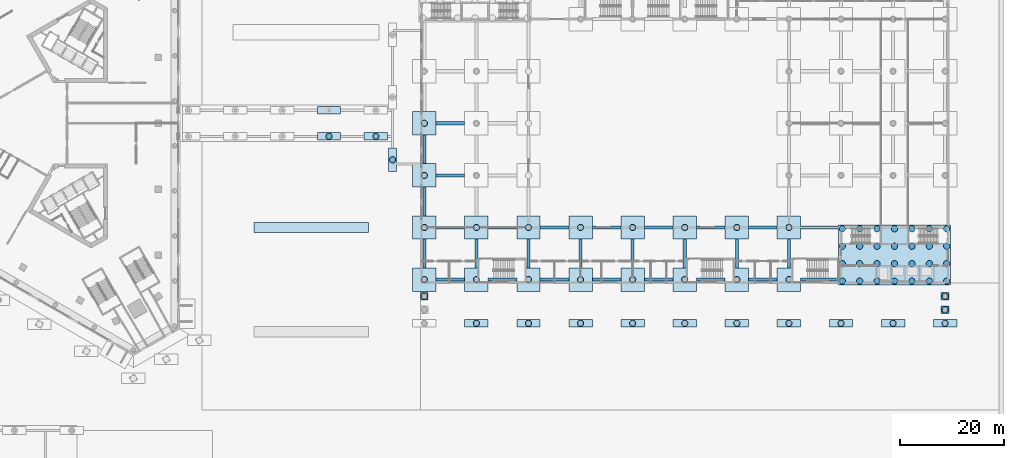
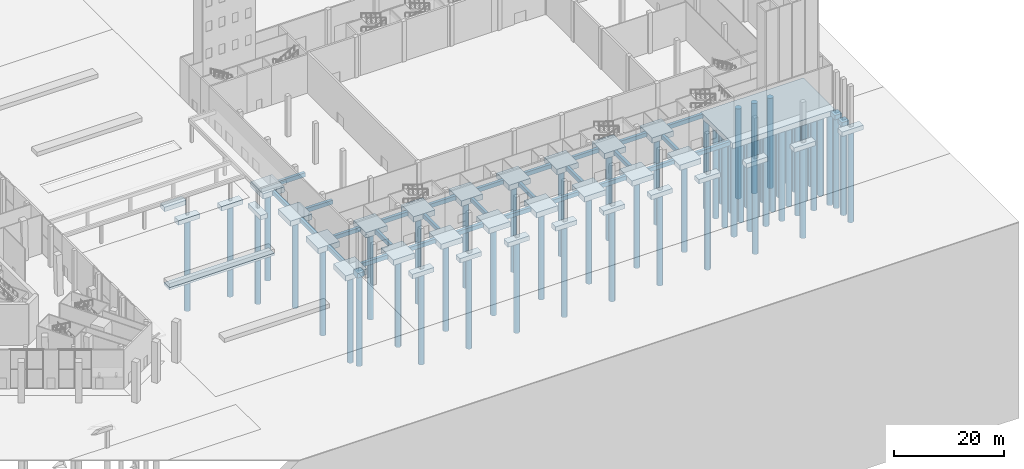
# One storey, part 2 of 63: 65 footings, 62 piles.
"""IFC4 building model written with IfcOpenShell, lengths in metres."""

import ifcopenshell
import ifcopenshell.guid

model = None  # the IFC model being written
_history = None  # IfcOwnerHistory: only IFC2X3 demands one
_inside = {}  # id of a spatial element -> (the spatial element, [elements in it])
_under = {}  # id of a project, library or spatial element -> (it, [spatial elements below it])
_declared = {}  # id of a project -> (the project, [libraries it declares])
_typed = {}  # id of a type object -> (the type object, [elements of that type])
_made_of = {}  # id of a material, layer set ... -> (it, [elements and type objects made of it])


def new_model(schema):
    """Start an empty IFC model of exactly this schema.

    Asked for "IFC4X3", IfcOpenShell would pick the latest addendum, in which some entities
    have other attributes; the version numbers below select the first issue.
    IFC2X3 requires an IfcOwnerHistory on every rooted entity: one is made here for all.
    """
    global model, _history
    if schema == "IFC4X3":
        model = ifcopenshell.file(schema_version=(4, 3, 0, 0))
    else:
        model = ifcopenshell.file(schema=schema)
    _inside.clear()
    _under.clear()
    _declared.clear()
    _typed.clear()
    _made_of.clear()
    _history = None
    if model.schema == "IFC2X3":
        org = make("IfcOrganization", Name="unknown")
        user = make(
            "IfcPersonAndOrganization",
            ThePerson=make("IfcPerson", FamilyName="unknown"),
            TheOrganization=org,
        )
        app = make(
            "IfcApplication",
            ApplicationDeveloper=org,
            Version="unknown",
            ApplicationFullName="unknown",
            ApplicationIdentifier="unknown",
        )
        _history = make(
            "IfcOwnerHistory",
            OwningUser=user,
            OwningApplication=app,
            ChangeAction="ADDED",
            CreationDate=0,
        )
    return model


def make(cls, **values):
    """One entity of the class cls with the attributes given. An attribute that is None is left unset."""
    return model.create_entity(
        cls, **{name: value for name, value in values.items() if value is not None}
    )


def rooted(cls, **values):
    """An entity with a GlobalId (a new one), such as an element, a storey or a relation."""
    return make(cls, GlobalId=ifcopenshell.guid.new(), OwnerHistory=_history, **values)


def si_unit(unit_type, name, prefix=None):
    """IfcSIUnit, for example si_unit("LENGTHUNIT", "METRE", prefix="MILLI")."""
    return make("IfcSIUnit", UnitType=unit_type, Prefix=prefix, Name=name)


def assignment(units):
    """IfcUnitAssignment: the units of a project."""
    return None if units is None else make("IfcUnitAssignment", Units=units)


def point(xyz):
    """IfcCartesianPoint."""
    return None if xyz is None else make("IfcCartesianPoint", Coordinates=xyz)


def direction(xyz):
    """IfcDirection."""
    return None if xyz is None else make("IfcDirection", DirectionRatios=xyz)


def frame(location, z_axis=None, x_axis=None):
    """IfcAxis2Placement3D, a coordinate frame: its origin and axes. An axis left out is left unset."""
    return make(
        "IfcAxis2Placement3D",
        Location=point(location),
        Axis=direction(z_axis),
        RefDirection=direction(x_axis),
    )


def frame_2d(location, x_axis=None):
    """IfcAxis2Placement2D, a coordinate frame in the plane: its origin and x axis."""
    return make(
        "IfcAxis2Placement2D", Location=point(location), RefDirection=direction(x_axis)
    )


def origin():
    """The frame at (0, 0, 0) with its axes left unset."""
    return frame((0.0, 0.0, 0.0))


def origin_2d():
    """The frame at (0, 0) in the plane with its x axis left unset."""
    return frame_2d((0.0, 0.0))


def place(relative_to, where):
    """IfcLocalPlacement: puts the frame where relative to a parent placement (None: the world)."""
    return make(
        "IfcLocalPlacement", PlacementRelTo=relative_to, RelativePlacement=where
    )


def context(
    kind, dimensions, precision=None, world=None, true_north=None, identifier=None
):
    """IfcGeometricRepresentationContext, for example the 3D "Model" context."""
    return make(
        "IfcGeometricRepresentationContext",
        ContextIdentifier=identifier,
        ContextType=kind,
        CoordinateSpaceDimension=dimensions,
        Precision=precision,
        WorldCoordinateSystem=world,
        TrueNorth=true_north,
    )


def subcontext(parent, identifier, kind, view, scale=None):
    """IfcGeometricRepresentationSubContext, for example "Body" below "Model"."""
    return make(
        "IfcGeometricRepresentationSubContext",
        ContextIdentifier=identifier,
        ContextType=kind,
        ParentContext=parent,
        TargetScale=scale,
        TargetView=view,
    )


def project(units=None, contexts=None):
    """IfcProject with its units and contexts."""
    return rooted(
        "IfcProject",
        Name="project",
        RepresentationContexts=contexts,
        UnitsInContext=assignment(units),
    )


def spatial(cls, under=None, at=None, **own):
    """A site, building, storey or space (cls), placed at a placement, below another one or the project."""
    s = rooted(cls, ObjectPlacement=at, **own)
    if under is not None:
        _under.setdefault(under.id(), (under, []))[1].append(s)
    return s


def polyline(points):
    """IfcPolyline through the points."""
    return make("IfcPolyline", Points=[point(p) for p in points])


def profile(cls, at=None, kind="AREA", **sizes):
    """A parametric profile (cls). Its sizes go by their IFC names, for example OverallWidth=200.0."""
    return make(cls, ProfileType=kind, Position=at, **sizes)


def rectangle(**sizes):
    """IfcRectangleProfileDef."""
    return profile("IfcRectangleProfileDef", **sizes)


def circle(**sizes):
    """IfcCircleProfileDef."""
    return profile("IfcCircleProfileDef", **sizes)


def outline(outer, holes=None, kind="AREA"):
    """IfcArbitraryClosedProfileDef: a profile drawn as a closed curve; with holes, ...WithVoids."""
    if holes is None:
        return make("IfcArbitraryClosedProfileDef", ProfileType=kind, OuterCurve=outer)
    return make(
        "IfcArbitraryProfileDefWithVoids",
        ProfileType=kind,
        OuterCurve=outer,
        InnerCurves=holes,
    )


def extrude(swept, where, along, depth):
    """IfcExtrudedAreaSolid: the profile swept, set in the frame where, extruded along a direction by depth."""
    return make(
        "IfcExtrudedAreaSolid",
        SweptArea=swept,
        Position=where,
        ExtrudedDirection=direction(along),
        Depth=depth,
    )


def shape(context_of_items, identifier, shape_type, items):
    """IfcShapeRepresentation: the items that make up one representation, for example the "Body"."""
    return make(
        "IfcShapeRepresentation",
        ContextOfItems=context_of_items,
        RepresentationIdentifier=identifier,
        RepresentationType=shape_type,
        Items=items,
    )


def material(Name=None, Category=None):
    """IfcMaterial."""
    return make("IfcMaterial", Name=Name, Category=Category)


def layer(
    of_material, thickness, ventilated=None, Name=None, Category=None, Priority=None
):
    """IfcMaterialLayer: one layer of a wall or slab, of a material (None: an air gap)."""
    return make(
        "IfcMaterialLayer",
        Material=of_material,
        LayerThickness=thickness,
        IsVentilated=ventilated,
        Name=Name,
        Category=Category,
        Priority=Priority,
    )


def layer_set(layers, Name=None):
    """IfcMaterialLayerSet."""
    return make("IfcMaterialLayerSet", MaterialLayers=layers, LayerSetName=Name)


def material_profile(
    of_material, cross_section, Name=None, Category=None, Priority=None
):
    """IfcMaterialProfile: a cross section and its material."""
    return make(
        "IfcMaterialProfile",
        Name=Name,
        Material=of_material,
        Profile=cross_section,
        Priority=Priority,
        Category=Category,
    )


def profile_set(profiles, Name=None, composite=None):
    """IfcMaterialProfileSet."""
    return make(
        "IfcMaterialProfileSet",
        Name=Name,
        MaterialProfiles=profiles,
        CompositeProfile=composite,
    )


def made_of(thing, what):
    """Note that an element or type object is made of a material, layer set ...; save() writes the relation."""
    if what is not None:
        _made_of.setdefault(what.id(), (what, []))[1].append(thing)
    return thing


def type_object(cls, material=None, **own):
    """A type object (cls), such as IfcWallType, which elements share."""
    return made_of(rooted(cls, **own), material)


def element(
    cls,
    number,
    at=None,
    inside=None,
    cuts=None,
    type_object=None,
    material=None,
    context=None,
    identifier="Body",
    shape_type=None,
    held_by="IfcProductDefinitionShape",
    body=None,
    shapes=None,
    **own,
):
    """One element of the class cls, such as IfcWall. Its Tag is "e" and its number.

    at: its placement. inside: the storey or other place that contains it. cuts: it is an
    opening in that element (IfcRelVoidsElement). A single representation is given by context,
    identifier, shape_type and body (its items); several are given by shapes. held_by: the class
    of the entity that holds the representations. save() writes the other relations.
    """
    e = rooted(cls, Tag="e%d" % number, ObjectPlacement=at, **own)
    if body is not None:
        shapes = [shape(context, identifier, shape_type, body)]
    if shapes is not None:
        e.Representation = make(held_by, Representations=shapes)
    if inside is not None:
        _inside.setdefault(inside.id(), (inside, []))[1].append(e)
    if cuts is not None:
        rooted(
            "IfcRelVoidsElement", RelatingBuildingElement=cuts, RelatedOpeningElement=e
        )
    if type_object is not None:
        _typed.setdefault(type_object.id(), (type_object, []))[1].append(e)
    return made_of(e, material)


def aggregate(whole, parts):
    """IfcRelAggregates: a whole, such as a stair, and the parts it consists of."""
    return rooted("IfcRelAggregates", RelatingObject=whole, RelatedObjects=parts)


def save(model, path):
    """Write the relations noted so far, then the file.

    IfcRelAggregates (storeys below a building ...), IfcRelContainedInSpatialStructure (elements
    in a storey), IfcRelDefinesByType, IfcRelAssociatesMaterial and IfcRelDeclares: one each for
    every whole, place, type object, material and project.
    """
    for whole, parts in _under.values():
        aggregate(whole, parts)
    for where, things in _inside.values():
        rooted(
            "IfcRelContainedInSpatialStructure",
            RelatedElements=things,
            RelatingStructure=where,
        )
    for kind, things in _typed.values():
        rooted("IfcRelDefinesByType", RelatedObjects=things, RelatingType=kind)
    for what, things in _made_of.values():
        rooted("IfcRelAssociatesMaterial", RelatedObjects=things, RelatingMaterial=what)
    for by, libraries in _declared.values():
        rooted("IfcRelDeclares", RelatingContext=by, RelatedDefinitions=libraries)
    model.write(path)


model = new_model("IFC4")

# Units and contexts
model_context = context("Model", 3, precision=1e-05, world=origin(), true_north=direction((0.0, 1.0)))
body_context = subcontext(model_context, "Body", "Model", "MODEL_VIEW")
ifc_project = project(units=[si_unit("LENGTHUNIT", "METRE"), si_unit("AREAUNIT", "SQUARE_METRE"), si_unit("VOLUMEUNIT", "CUBIC_METRE"), si_unit("PLANEANGLEUNIT", "RADIAN"), si_unit("MASSUNIT", "GRAM", prefix="KILO")], contexts=[model_context])

# Site, building, storey
site_placement = place(None, origin())
site = spatial("IfcSite", under=ifc_project, at=site_placement, CompositionType="ELEMENT")
building_placement = place(site_placement, origin())
building = spatial("IfcBuilding", under=site, at=building_placement, Name="Jabali Bay Hotel Tower and Convention Centre", CompositionType="ELEMENT")
storey_placement = place(building_placement, origin())
storey = spatial("IfcBuildingStorey", under=building, at=storey_placement, Name="L00", CompositionType="ELEMENT", Elevation=0.0)

# Piles
ifc_material_1 = material(Name="Concrete C45", Category="concrete")
ifc_material_profile_1 = material_profile(ifc_material_1, circle(Radius=0.60009765625, at=origin_2d()), Name="D1200")
ifc_profile_set_1 = profile_set([ifc_material_profile_1], Name="Concrete C45")
pile_type_1 = type_object("IfcPileType", Name="CC Bored Pile D1200", PredefinedType="BORED", material=ifc_profile_set_1)
for number, where, z_axis, x_axis, name in (
    (1, (150.699951171875, 50.0, -2.300048828125), (0.0, 0.0, -1.0), (1.0, 0.0, 0.0), "CC pile 1"),
    (2, (150.699951171875, 60.0, -2.300048828125), (0.0, 0.0, -1.0), (1.0, 0.0, 0.0), "CC pile 2"),
    (3, (150.699951171875, 70.0, -2.300048828125), (0.0, 0.0, -1.0), (1.0, 0.0, 0.0), "CC pile 3"),
    (4, (150.699951171875, 80.0, -2.300048828125), (0.0, 0.0, -1.0), (1.0, 0.0, 0.0), "CC pile 4"),
    (5, (160.699951171875, 50.0, -2.300048828125), (0.0, 0.0, -1.0), (1.0, 0.0, 0.0), "CC pile 6"),
    (6, (160.699951171875, 60.0, -2.300048828125), (0.0, 0.0, -1.0), (1.0, 0.0, 0.0), "CC pile 7"),
    (7, (170.699951171875, 50.0, -2.300048828125), (0.0, 0.0, -1.0), (1.0, 0.0, 0.0), "CC pile 11"),
    (8, (170.699951171875, 60.0, -2.300048828125), (0.0, 0.0, -1.0), (1.0, 0.0, 0.0), "CC pile 12"),
    (9, (180.699951171875, 50.0, -2.300048828125), (0.0, 0.0, -1.0), (1.0, 0.0, 0.0), "CC pile 16"),
    (10, (180.699951171875, 60.0, -2.300048828125), (0.0, 0.0, -1.0), (1.0, 0.0, 0.0), "CC pile 17"),
    (11, (190.699951171875, 50.0, -2.300048828125), (0.0, 0.0, -1.0), (1.0, 0.0, 0.0), "CC pile 20"),
    (12, (190.699951171875, 60.0, -2.300048828125), (0.0, 0.0, -1.0), (1.0, 0.0, 0.0), "CC pile 21"),
    (13, (200.699951171875, 50.0, -2.300048828125), (0.0, 0.0, -1.0), (1.0, 0.0, 0.0), "CC pile 24"),
    (14, (200.699951171875, 60.0, -2.300048828125), (0.0, 0.0, -1.0), (1.0, 0.0, 0.0), "CC pile 25"),
    (15, (210.699951171875, 50.0, -2.300048828125), (0.0, 0.0, -1.0), (1.0, 0.0, 0.0), "CC pile 28"),
    (16, (210.699951171875, 60.0, -2.300048828125), (0.0, 0.0, -1.0), (1.0, 0.0, 0.0), "CC pile 29"),
    (17, (220.699951171875, 50.0, -2.300048828125), (0.0, 0.0, -1.0), (1.0, 0.0, 0.0), "CC pile 32"),
    (18, (220.699951171875, 60.0, -2.300048828125), (0.0, 0.0, -1.0), (1.0, 0.0, 0.0), "CC pile 33"),
    (19, (230.949951171875, 49.699951171875, -2.300048828125), (0.0, 0.0, -1.0), (1.0, 0.0, 0.0), "CC pile 82"),
    (20, (230.949951171875, 53.050048828125, -2.300048828125), (0.0, 0.0, -1.0), (1.0, 0.0, 0.0), "CC pile 83"),
    (21, (230.949951171875, 56.39990234375, -2.300048828125), (0.0, 0.0, -1.0), (1.0, 0.0, 0.0), "CC pile 84"),
    (22, (230.949951171875, 59.75, -2.300048828125), (0.0, 0.0, -1.0), (1.0, 0.0, 0.0), "CC pile 85"),
    (23, (234.291748046875, 49.699951171875, -2.300048828125), (0.0, 0.0, -1.0), (1.0, 0.0, 0.0), "CC pile 86"),
    (24, (234.291748046875, 53.050048828125, -2.300048828125), (0.0, 0.0, -1.0), (1.0, 0.0, 0.0), "CC pile 87"),
    (25, (234.291748046875, 56.39990234375, -2.300048828125), (0.0, 0.0, -1.0), (1.0, 0.0, 0.0), "CC pile 88"),
    (26, (234.291748046875, 59.75, -2.300048828125), (0.0, 0.0, -1.0), (1.0, 0.0, 0.0), "CC pile 89"),
    (27, (237.63330078125, 49.699951171875, -2.300048828125), (0.0, 0.0, -1.0), (1.0, 0.0, 0.0), "CC pile 90"),
    (28, (237.63330078125, 53.050048828125, -2.300048828125), (0.0, 0.0, -1.0), (1.0, 0.0, 0.0), "CC pile 91"),
    (29, (237.63330078125, 56.39990234375, -2.300048828125), (0.0, 0.0, -1.0), (1.0, 0.0, 0.0), "CC pile 92"),
    (30, (237.63330078125, 59.75, -2.300048828125), (0.0, 0.0, -1.0), (1.0, 0.0, 0.0), "CC pile 93"),
    (31, (240.97509765625, 49.699951171875, -2.300048828125), (0.0, 0.0, -1.0), (1.0, 0.0, 0.0), "CC pile 94"),
    (32, (240.97509765625, 53.050048828125, -2.300048828125), (0.0, 0.0, -1.0), (1.0, 0.0, 0.0), "CC pile 95"),
    (33, (240.97509765625, 56.39990234375, -2.300048828125), (0.0, 0.0, -1.0), (1.0, 0.0, 0.0), "CC pile 96"),
    (34, (240.97509765625, 59.75, -2.300048828125), (0.0, 0.0, -1.0), (1.0, 0.0, 0.0), "CC pile 97"),
    (35, (244.316650390625, 49.699951171875, -2.300048828125), (0.0, 0.0, -1.0), (1.0, 0.0, 0.0), "CC pile 98"),
    (36, (244.316650390625, 53.050048828125, -2.300048828125), (0.0, 0.0, -1.0), (1.0, 0.0, 0.0), "CC pile 99"),
    (37, (244.316650390625, 56.39990234375, -2.300048828125), (0.0, 0.0, -1.0), (1.0, 0.0, 0.0), "CC pile 100"),
    (38, (244.316650390625, 59.75, -2.300048828125), (0.0, 0.0, -1.0), (1.0, 0.0, 0.0), "CC pile 101"),
    (39, (247.658447265625, 49.699951171875, -2.300048828125), (0.0, 0.0, -1.0), (1.0, 0.0, 0.0), "CC pile 102"),
    (40, (247.658447265625, 53.050048828125, -2.300048828125), (0.0, 0.0, -1.0), (1.0, 0.0, 0.0), "CC pile 103"),
    (41, (247.658447265625, 56.39990234375, -2.300048828125), (0.0, 0.0, -1.0), (1.0, 0.0, 0.0), "CC pile 104"),
    (42, (247.658447265625, 59.75, -2.300048828125), (0.0, 0.0, -1.0), (1.0, 0.0, 0.0), "CC pile 105"),
    (43, (251.0, 49.699951171875, -2.300048828125), (0.0, 0.0, -1.0), (1.0, 0.0, 0.0), "CC pile 106"),
    (44, (251.0, 53.050048828125, -2.300048828125), (0.0, 0.0, -1.0), (1.0, 0.0, 0.0), "CC pile 107"),
    (45, (251.0, 56.39990234375, -2.300048828125), (0.0, 0.0, -1.0), (1.0, 0.0, 0.0), "CC pile 108"),
    (46, (251.0, 59.75, -2.300048828125), (0.0, 0.0, -1.0), (1.0, 0.0, 0.0), "CC pile 109"),
    (47, (144.60009765625, 73.0, -1.10009765625), (0.0, 0.0, -1.0), (1.0, 0.0, 0.0), "CC pile 110"),
    (48, (150.699951171875, 46.800048828125, -1.10009765625), (0.0, 0.0, -1.0), (1.0, 0.0, 0.0), "CC pile 114"),
    (49, (250.699951171875, 44.199951171875, -1.10009765625), (0.0, 0.0, -1.0), (1.0, 0.0, 0.0), "CC pile 115"),
    (50, (250.699951171875, 46.800048828125, -1.10009765625), (0.0, 0.0, -1.0), (1.0, 0.0, 0.0), "CC pile 116"),
    (51, (160.699951171875, 41.60009765625, -1.10009765625), (0.0, 0.0, -1.0), (1.0, 0.0, 0.0), "CC pile 118"),
    (52, (170.699951171875, 41.60009765625, -1.10009765625), (0.0, 0.0, -1.0), (1.0, 0.0, 0.0), "CC pile 119"),
    (53, (180.699951171875, 41.60009765625, -1.10009765625), (0.0, 0.0, -1.0), (1.0, 0.0, 0.0), "CC pile 120"),
    (54, (190.699951171875, 41.60009765625, -1.10009765625), (0.0, 0.0, -1.0), (1.0, 0.0, 0.0), "CC pile 121"),
    (55, (200.699951171875, 41.60009765625, -1.10009765625), (0.0, 0.0, -1.0), (1.0, 0.0, 0.0), "CC pile 122"),
    (56, (210.699951171875, 41.60009765625, -1.10009765625), (0.0, 0.0, -1.0), (1.0, 0.0, 0.0), "CC pile 123"),
    (57, (220.699951171875, 41.60009765625, -1.10009765625), (0.0, 0.0, -1.0), (1.0, 0.0, 0.0), "CC pile 124"),
    (58, (230.699951171875, 41.60009765625, -1.10009765625), (0.0, 0.0, -1.0), (1.0, 0.0, 0.0), "CC pile 125"),
    (59, (240.699951171875, 41.60009765625, -1.10009765625), (0.0, 0.0, -1.0), (1.0, 0.0, 0.0), "CC pile 126"),
    (60, (250.699951171875, 41.60009765625, -1.10009765625), (0.0, 0.0, -1.0), (1.0, 0.0, 0.0), "CC pile 127"),
):
    element("IfcPile", number, at=place(storey_placement, frame(where, z_axis=z_axis, x_axis=x_axis)), inside=storey, type_object=pile_type_1, Name=name, PredefinedType="BORED", context=body_context, shape_type="SweptSolid", body=[
        extrude(circle(Radius=0.60009765625, at=origin_2d()), origin(), (0.0, 0.0, 1.0), 20.0),
    ])

# Footings
footing_type_1 = type_object("IfcFootingType", Name="CC Canopy Pad Cap 1500x4500x1000", PredefinedType="PILE_CAP", material=ifc_material_1)
footing_1_placement = place(storey_placement, frame((0.0, 0.0, -1.199951171875)))
element("IfcFooting", 61, at=footing_1_placement, inside=storey, type_object=footing_type_1, Name="CC canopy pad cap 1", PredefinedType="PILE_CAP", context=body_context, shape_type="SweptSolid", body=[
    extrude(outline(polyline([(143.85009765625, 70.75), (145.35009765625, 70.75), (145.35009765625, 75.25), (143.85009765625, 75.25), (143.85009765625, 70.75)])), origin(), (0.0, 0.0, 1.0), 1.0),
])
ifc_layer = layer(ifc_material_1, 1.199951171875)
ifc_layer_set = layer_set([ifc_layer], Name="Concrete C45")
footing_type_2 = type_object("IfcFootingType", Name="CC Core Raft 1200", PredefinedType="PILE_CAP", material=ifc_layer_set)
footing_2_placement = place(storey_placement, frame((0.0, 0.0, -2.39990234375)))
element("IfcFooting", 62, at=footing_2_placement, inside=storey, type_object=footing_type_2, Name="CC east core raft", PredefinedType="PILE_CAP", context=body_context, shape_type="SweptSolid", body=[
    extrude(outline(polyline([(230.199951171875, 48.949951171875), (251.75, 48.949951171875), (251.75, 60.5), (230.199951171875, 60.5), (230.199951171875, 48.949951171875)])), origin(), (0.0, 0.0, 1.0), 1.199951171875),
])
ifc_material_profile_2 = material_profile(ifc_material_1, rectangle(XDim=0.60009765625, YDim=0.89990234375, at=origin_2d()), Name="RC 600x900")
ifc_profile_set_2 = profile_set([ifc_material_profile_2], Name="Concrete C45")
footing_type_3 = type_object("IfcFootingType", Name="CC Ground Beam 600x900", PredefinedType="FOOTING_BEAM", material=ifc_profile_set_2)
for number, where, z_axis, x_axis, name in (
    (63, (152.949951171875, 50.0, -1.64990234375), (1.0, 0.0, 0.0), (0.0, 1.0, 0.0), "CC ground beam CC1/A"),
    (64, (150.699951171875, 52.25, -1.64990234375), (0.0, 1.0, 0.0), (-1.0, 0.0, 0.0), "CC ground beam CC1/A"),
    (65, (152.949951171875, 60.0, -1.64990234375), (1.0, 0.0, 0.0), (0.0, 1.0, 0.0), "CC ground beam CC1/B"),
    (66, (150.699951171875, 62.25, -1.64990234375), (0.0, 1.0, 0.0), (-1.0, 0.0, 0.0), "CC ground beam CC1/B"),
    (67, (152.949951171875, 70.0, -1.64990234375), (1.0, 0.0, 0.0), (0.0, 1.0, 0.0), "CC ground beam CC1/C"),
    (68, (150.699951171875, 72.25, -1.64990234375), (0.0, 1.0, 0.0), (-1.0, 0.0, 0.0), "CC ground beam CC1/C"),
    (69, (152.949951171875, 80.0, -1.64990234375), (1.0, 0.0, 0.0), (0.0, 1.0, 0.0), "CC ground beam CC1/D"),
    (70, (162.949951171875, 50.0, -1.64990234375), (1.0, 0.0, 0.0), (0.0, 1.0, 0.0), "CC ground beam CC2/A"),
    (71, (160.699951171875, 52.25, -1.64990234375), (0.0, 1.0, 0.0), (-1.0, 0.0, 0.0), "CC ground beam CC2/A"),
    (72, (162.949951171875, 60.0, -1.64990234375), (1.0, 0.0, 0.0), (0.0, 1.0, 0.0), "CC ground beam CC2/B"),
    (73, (172.949951171875, 50.0, -1.64990234375), (1.0, 0.0, 0.0), (0.0, 1.0, 0.0), "CC ground beam CC3/A"),
    (74, (170.699951171875, 52.25, -1.64990234375), (0.0, 1.0, 0.0), (-1.0, 0.0, 0.0), "CC ground beam CC3/A"),
    (75, (172.949951171875, 60.0, -1.64990234375), (1.0, 0.0, 0.0), (0.0, 1.0, 0.0), "CC ground beam CC3/B"),
    (76, (182.949951171875, 50.0, -1.64990234375), (1.0, 0.0, 0.0), (0.0, 1.0, 0.0), "CC ground beam CC4/A"),
    (77, (180.699951171875, 52.25, -1.64990234375), (0.0, 1.0, 0.0), (-1.0, 0.0, 0.0), "CC ground beam CC4/A"),
    (78, (182.949951171875, 60.0, -1.64990234375), (1.0, 0.0, 0.0), (0.0, 1.0, 0.0), "CC ground beam CC4/B"),
    (79, (192.949951171875, 50.0, -1.64990234375), (1.0, 0.0, 0.0), (0.0, 1.0, 0.0), "CC ground beam CC5/A"),
    (80, (190.699951171875, 52.25, -1.64990234375), (0.0, 1.0, 0.0), (-1.0, 0.0, 0.0), "CC ground beam CC5/A"),
    (81, (192.949951171875, 60.0, -1.64990234375), (1.0, 0.0, 0.0), (0.0, 1.0, 0.0), "CC ground beam CC5/B"),
    (82, (202.949951171875, 50.0, -1.64990234375), (1.0, 0.0, 0.0), (0.0, 1.0, 0.0), "CC ground beam CC6/A"),
    (83, (200.699951171875, 52.25, -1.64990234375), (0.0, 1.0, 0.0), (-1.0, 0.0, 0.0), "CC ground beam CC6/A"),
    (84, (202.949951171875, 60.0, -1.64990234375), (1.0, 0.0, 0.0), (0.0, 1.0, 0.0), "CC ground beam CC6/B"),
    (85, (212.949951171875, 50.0, -1.64990234375), (1.0, 0.0, 0.0), (0.0, 1.0, 0.0), "CC ground beam CC7/A"),
    (86, (210.699951171875, 52.25, -1.64990234375), (0.0, 1.0, 0.0), (-1.0, 0.0, 0.0), "CC ground beam CC7/A"),
    (87, (212.949951171875, 60.0, -1.64990234375), (1.0, 0.0, 0.0), (0.0, 1.0, 0.0), "CC ground beam CC7/B"),
):
    element("IfcFooting", number, at=place(storey_placement, frame(where, z_axis=z_axis, x_axis=x_axis)), inside=storey, type_object=footing_type_3, Name=name, PredefinedType="FOOTING_BEAM", context=body_context, shape_type="SweptSolid", body=[
        extrude(rectangle(XDim=0.60009765625, YDim=0.89990234375, at=origin_2d()), origin(), (0.0, 0.0, 1.0), 5.5),
    ])
footing_3_placement = place(storey_placement, frame((222.949951171875, 50.0, -1.64990234375), z_axis=(1.0, 0.0, 0.0), x_axis=(0.0, 1.0, 0.0)))
element("IfcFooting", 88, at=footing_3_placement, inside=storey, type_object=footing_type_3, Name="CC ground beam CC8/A", PredefinedType="FOOTING_BEAM", context=body_context, shape_type="SweptSolid", body=[
    extrude(rectangle(XDim=0.60009765625, YDim=0.89990234375, at=origin_2d()), origin(), (0.0, 0.0, 1.0), 7.25),
])
footing_4_placement = place(storey_placement, frame((220.699951171875, 52.25, -1.64990234375), z_axis=(0.0, 1.0, 0.0), x_axis=(-1.0, 0.0, 0.0)))
element("IfcFooting", 89, at=footing_4_placement, inside=storey, type_object=footing_type_3, Name="CC ground beam CC8/A", PredefinedType="FOOTING_BEAM", context=body_context, shape_type="SweptSolid", body=[
    extrude(rectangle(XDim=0.60009765625, YDim=0.89990234375, at=origin_2d()), origin(), (0.0, 0.0, 1.0), 5.5),
])
footing_5_placement = place(storey_placement, frame((222.949951171875, 60.0, -1.64990234375), z_axis=(1.0, 0.0, 0.0), x_axis=(0.0, 1.0, 0.0)))
element("IfcFooting", 90, at=footing_5_placement, inside=storey, type_object=footing_type_3, Name="CC ground beam CC8/B", PredefinedType="FOOTING_BEAM", context=body_context, shape_type="SweptSolid", body=[
    extrude(rectangle(XDim=0.60009765625, YDim=0.89990234375, at=origin_2d()), origin(), (0.0, 0.0, 1.0), 7.25),
])
footing_type_4 = type_object("IfcFootingType", Name="CC Pile Cap 4500x4500x1200", PredefinedType="PILE_CAP", material=ifc_material_1)
footing_6_placement = place(storey_placement, frame((0.0, 0.0, -2.39990234375)))
element("IfcFooting", 91, at=footing_6_placement, inside=storey, type_object=footing_type_4, Name="CC pile cap CC1/A", PredefinedType="PILE_CAP", context=body_context, shape_type="SweptSolid", body=[
    extrude(outline(polyline([(148.449951171875, 47.75), (152.949951171875, 47.75), (152.949951171875, 52.25), (148.449951171875, 52.25), (148.449951171875, 47.75)])), origin(), (0.0, 0.0, 1.0), 1.199951171875),
])
footing_7_placement = place(storey_placement, frame((0.0, 0.0, -2.39990234375)))
element("IfcFooting", 92, at=footing_7_placement, inside=storey, type_object=footing_type_4, Name="CC pile cap CC1/B", PredefinedType="PILE_CAP", context=body_context, shape_type="SweptSolid", body=[
    extrude(outline(polyline([(148.449951171875, 57.75), (152.949951171875, 57.75), (152.949951171875, 62.25), (148.449951171875, 62.25), (148.449951171875, 57.75)])), origin(), (0.0, 0.0, 1.0), 1.199951171875),
])
footing_8_placement = place(storey_placement, frame((0.0, 0.0, -2.39990234375)))
element("IfcFooting", 93, at=footing_8_placement, inside=storey, type_object=footing_type_4, Name="CC pile cap CC1/C", PredefinedType="PILE_CAP", context=body_context, shape_type="SweptSolid", body=[
    extrude(outline(polyline([(148.449951171875, 67.75), (152.949951171875, 67.75), (152.949951171875, 72.25), (148.449951171875, 72.25), (148.449951171875, 67.75)])), origin(), (0.0, 0.0, 1.0), 1.199951171875),
])
footing_9_placement = place(storey_placement, frame((0.0, 0.0, -2.39990234375)))
element("IfcFooting", 94, at=footing_9_placement, inside=storey, type_object=footing_type_4, Name="CC pile cap CC1/D", PredefinedType="PILE_CAP", context=body_context, shape_type="SweptSolid", body=[
    extrude(outline(polyline([(148.449951171875, 77.75), (152.949951171875, 77.75), (152.949951171875, 82.25), (148.449951171875, 82.25), (148.449951171875, 77.75)])), origin(), (0.0, 0.0, 1.0), 1.199951171875),
])
footing_10_placement = place(storey_placement, frame((0.0, 0.0, -2.39990234375)))
element("IfcFooting", 95, at=footing_10_placement, inside=storey, type_object=footing_type_4, Name="CC pile cap CC2/A", PredefinedType="PILE_CAP", context=body_context, shape_type="SweptSolid", body=[
    extrude(outline(polyline([(158.449951171875, 47.75), (162.949951171875, 47.75), (162.949951171875, 52.25), (158.449951171875, 52.25), (158.449951171875, 47.75)])), origin(), (0.0, 0.0, 1.0), 1.199951171875),
])
footing_11_placement = place(storey_placement, frame((0.0, 0.0, -2.39990234375)))
element("IfcFooting", 96, at=footing_11_placement, inside=storey, type_object=footing_type_4, Name="CC pile cap CC2/B", PredefinedType="PILE_CAP", context=body_context, shape_type="SweptSolid", body=[
    extrude(outline(polyline([(158.449951171875, 57.75), (162.949951171875, 57.75), (162.949951171875, 62.25), (158.449951171875, 62.25), (158.449951171875, 57.75)])), origin(), (0.0, 0.0, 1.0), 1.199951171875),
])
footing_12_placement = place(storey_placement, frame((0.0, 0.0, -2.39990234375)))
element("IfcFooting", 97, at=footing_12_placement, inside=storey, type_object=footing_type_4, Name="CC pile cap CC3/A", PredefinedType="PILE_CAP", context=body_context, shape_type="SweptSolid", body=[
    extrude(outline(polyline([(168.449951171875, 47.75), (172.949951171875, 47.75), (172.949951171875, 52.25), (168.449951171875, 52.25), (168.449951171875, 47.75)])), origin(), (0.0, 0.0, 1.0), 1.199951171875),
])
footing_13_placement = place(storey_placement, frame((0.0, 0.0, -2.39990234375)))
element("IfcFooting", 98, at=footing_13_placement, inside=storey, type_object=footing_type_4, Name="CC pile cap CC3/B", PredefinedType="PILE_CAP", context=body_context, shape_type="SweptSolid", body=[
    extrude(outline(polyline([(168.449951171875, 57.75), (172.949951171875, 57.75), (172.949951171875, 62.25), (168.449951171875, 62.25), (168.449951171875, 57.75)])), origin(), (0.0, 0.0, 1.0), 1.199951171875),
])
footing_14_placement = place(storey_placement, frame((0.0, 0.0, -2.39990234375)))
element("IfcFooting", 99, at=footing_14_placement, inside=storey, type_object=footing_type_4, Name="CC pile cap CC4/A", PredefinedType="PILE_CAP", context=body_context, shape_type="SweptSolid", body=[
    extrude(outline(polyline([(178.449951171875, 47.75), (182.949951171875, 47.75), (182.949951171875, 52.25), (178.449951171875, 52.25), (178.449951171875, 47.75)])), origin(), (0.0, 0.0, 1.0), 1.199951171875),
])
footing_15_placement = place(storey_placement, frame((0.0, 0.0, -2.39990234375)))
element("IfcFooting", 100, at=footing_15_placement, inside=storey, type_object=footing_type_4, Name="CC pile cap CC4/B", PredefinedType="PILE_CAP", context=body_context, shape_type="SweptSolid", body=[
    extrude(outline(polyline([(178.449951171875, 57.75), (182.949951171875, 57.75), (182.949951171875, 62.25), (178.449951171875, 62.25), (178.449951171875, 57.75)])), origin(), (0.0, 0.0, 1.0), 1.199951171875),
])
footing_16_placement = place(storey_placement, frame((0.0, 0.0, -2.39990234375)))
element("IfcFooting", 101, at=footing_16_placement, inside=storey, type_object=footing_type_4, Name="CC pile cap CC5/A", PredefinedType="PILE_CAP", context=body_context, shape_type="SweptSolid", body=[
    extrude(outline(polyline([(188.449951171875, 47.75), (192.949951171875, 47.75), (192.949951171875, 52.25), (188.449951171875, 52.25), (188.449951171875, 47.75)])), origin(), (0.0, 0.0, 1.0), 1.199951171875),
])
footing_17_placement = place(storey_placement, frame((0.0, 0.0, -2.39990234375)))
element("IfcFooting", 102, at=footing_17_placement, inside=storey, type_object=footing_type_4, Name="CC pile cap CC5/B", PredefinedType="PILE_CAP", context=body_context, shape_type="SweptSolid", body=[
    extrude(outline(polyline([(188.449951171875, 57.75), (192.949951171875, 57.75), (192.949951171875, 62.25), (188.449951171875, 62.25), (188.449951171875, 57.75)])), origin(), (0.0, 0.0, 1.0), 1.199951171875),
])
footing_18_placement = place(storey_placement, frame((0.0, 0.0, -2.39990234375)))
element("IfcFooting", 103, at=footing_18_placement, inside=storey, type_object=footing_type_4, Name="CC pile cap CC6/A", PredefinedType="PILE_CAP", context=body_context, shape_type="SweptSolid", body=[
    extrude(outline(polyline([(198.449951171875, 47.75), (202.949951171875, 47.75), (202.949951171875, 52.25), (198.449951171875, 52.25), (198.449951171875, 47.75)])), origin(), (0.0, 0.0, 1.0), 1.199951171875),
])
footing_19_placement = place(storey_placement, frame((0.0, 0.0, -2.39990234375)))
element("IfcFooting", 104, at=footing_19_placement, inside=storey, type_object=footing_type_4, Name="CC pile cap CC6/B", PredefinedType="PILE_CAP", context=body_context, shape_type="SweptSolid", body=[
    extrude(outline(polyline([(198.449951171875, 57.75), (202.949951171875, 57.75), (202.949951171875, 62.25), (198.449951171875, 62.25), (198.449951171875, 57.75)])), origin(), (0.0, 0.0, 1.0), 1.199951171875),
])
footing_20_placement = place(storey_placement, frame((0.0, 0.0, -2.39990234375)))
element("IfcFooting", 105, at=footing_20_placement, inside=storey, type_object=footing_type_4, Name="CC pile cap CC7/A", PredefinedType="PILE_CAP", context=body_context, shape_type="SweptSolid", body=[
    extrude(outline(polyline([(208.449951171875, 47.75), (212.949951171875, 47.75), (212.949951171875, 52.25), (208.449951171875, 52.25), (208.449951171875, 47.75)])), origin(), (0.0, 0.0, 1.0), 1.199951171875),
])
footing_21_placement = place(storey_placement, frame((0.0, 0.0, -2.39990234375)))
element("IfcFooting", 106, at=footing_21_placement, inside=storey, type_object=footing_type_4, Name="CC pile cap CC7/B", PredefinedType="PILE_CAP", context=body_context, shape_type="SweptSolid", body=[
    extrude(outline(polyline([(208.449951171875, 57.75), (212.949951171875, 57.75), (212.949951171875, 62.25), (208.449951171875, 62.25), (208.449951171875, 57.75)])), origin(), (0.0, 0.0, 1.0), 1.199951171875),
])
footing_22_placement = place(storey_placement, frame((0.0, 0.0, -2.39990234375)))
element("IfcFooting", 107, at=footing_22_placement, inside=storey, type_object=footing_type_4, Name="CC pile cap CC8/A", PredefinedType="PILE_CAP", context=body_context, shape_type="SweptSolid", body=[
    extrude(outline(polyline([(218.449951171875, 47.75), (222.949951171875, 47.75), (222.949951171875, 52.25), (218.449951171875, 52.25), (218.449951171875, 47.75)])), origin(), (0.0, 0.0, 1.0), 1.199951171875),
])
footing_23_placement = place(storey_placement, frame((0.0, 0.0, -2.39990234375)))
element("IfcFooting", 108, at=footing_23_placement, inside=storey, type_object=footing_type_4, Name="CC pile cap CC8/B", PredefinedType="PILE_CAP", context=body_context, shape_type="SweptSolid", body=[
    extrude(outline(polyline([(218.449951171875, 57.75), (222.949951171875, 57.75), (222.949951171875, 62.25), (218.449951171875, 62.25), (218.449951171875, 57.75)])), origin(), (0.0, 0.0, 1.0), 1.199951171875),
])
footing_type_5 = type_object("IfcFootingType", Name="CC Return Pier Pad Cap 1500x1500x1000", PredefinedType="PILE_CAP", material=ifc_material_1)
footing_24_placement = place(storey_placement, frame((0.0, 0.0, -1.199951171875)))
element("IfcFooting", 109, at=footing_24_placement, inside=storey, type_object=footing_type_5, Name="CC south return pier pad cap W2", PredefinedType="PILE_CAP", context=body_context, shape_type="SweptSolid", body=[
    extrude(outline(polyline([(149.949951171875, 46.050048828125), (151.449951171875, 46.050048828125), (151.449951171875, 47.550048828125), (149.949951171875, 47.550048828125), (149.949951171875, 46.050048828125)])), origin(), (0.0, 0.0, 1.0), 1.0),
])
footing_25_placement = place(storey_placement, frame((0.0, 0.0, -1.199951171875)))
element("IfcFooting", 110, at=footing_25_placement, inside=storey, type_object=footing_type_5, Name="CC south return pier pad cap E1", PredefinedType="PILE_CAP", context=body_context, shape_type="SweptSolid", body=[
    extrude(outline(polyline([(249.949951171875, 43.449951171875), (251.449951171875, 43.449951171875), (251.449951171875, 44.949951171875), (249.949951171875, 44.949951171875), (249.949951171875, 43.449951171875)])), origin(), (0.0, 0.0, 1.0), 1.0),
])
footing_26_placement = place(storey_placement, frame((0.0, 0.0, -1.199951171875)))
element("IfcFooting", 111, at=footing_26_placement, inside=storey, type_object=footing_type_5, Name="CC south return pier pad cap E2", PredefinedType="PILE_CAP", context=body_context, shape_type="SweptSolid", body=[
    extrude(outline(polyline([(249.949951171875, 46.050048828125), (251.449951171875, 46.050048828125), (251.449951171875, 47.550048828125), (249.949951171875, 47.550048828125), (249.949951171875, 46.050048828125)])), origin(), (0.0, 0.0, 1.0), 1.0),
])
footing_type_6 = type_object("IfcFootingType", Name="CC South Pier Pad Cap 1500x4500x1000", PredefinedType="PILE_CAP", material=ifc_material_1)
footing_27_placement = place(storey_placement, frame((0.0, 0.0, -1.199951171875)))
element("IfcFooting", 112, at=footing_27_placement, inside=storey, type_object=footing_type_6, Name="CC south pier pad cap 2", PredefinedType="PILE_CAP", context=body_context, shape_type="SweptSolid", body=[
    extrude(outline(polyline([(158.449951171875, 40.85009765625), (162.949951171875, 40.85009765625), (162.949951171875, 42.35009765625), (158.449951171875, 42.35009765625), (158.449951171875, 40.85009765625)])), origin(), (0.0, 0.0, 1.0), 1.0),
])
footing_28_placement = place(storey_placement, frame((0.0, 0.0, -1.199951171875)))
element("IfcFooting", 113, at=footing_28_placement, inside=storey, type_object=footing_type_6, Name="CC south pier pad cap 3", PredefinedType="PILE_CAP", context=body_context, shape_type="SweptSolid", body=[
    extrude(outline(polyline([(168.449951171875, 40.85009765625), (172.949951171875, 40.85009765625), (172.949951171875, 42.35009765625), (168.449951171875, 42.35009765625), (168.449951171875, 40.85009765625)])), origin(), (0.0, 0.0, 1.0), 1.0),
])
footing_29_placement = place(storey_placement, frame((0.0, 0.0, -1.199951171875)))
element("IfcFooting", 114, at=footing_29_placement, inside=storey, type_object=footing_type_6, Name="CC south pier pad cap 4", PredefinedType="PILE_CAP", context=body_context, shape_type="SweptSolid", body=[
    extrude(outline(polyline([(178.449951171875, 40.85009765625), (182.949951171875, 40.85009765625), (182.949951171875, 42.35009765625), (178.449951171875, 42.35009765625), (178.449951171875, 40.85009765625)])), origin(), (0.0, 0.0, 1.0), 1.0),
])
footing_30_placement = place(storey_placement, frame((0.0, 0.0, -1.199951171875)))
element("IfcFooting", 115, at=footing_30_placement, inside=storey, type_object=footing_type_6, Name="CC south pier pad cap 5", PredefinedType="PILE_CAP", context=body_context, shape_type="SweptSolid", body=[
    extrude(outline(polyline([(188.449951171875, 40.85009765625), (192.949951171875, 40.85009765625), (192.949951171875, 42.35009765625), (188.449951171875, 42.35009765625), (188.449951171875, 40.85009765625)])), origin(), (0.0, 0.0, 1.0), 1.0),
])
footing_31_placement = place(storey_placement, frame((0.0, 0.0, -1.199951171875)))
element("IfcFooting", 116, at=footing_31_placement, inside=storey, type_object=footing_type_6, Name="CC south pier pad cap 6", PredefinedType="PILE_CAP", context=body_context, shape_type="SweptSolid", body=[
    extrude(outline(polyline([(198.449951171875, 40.85009765625), (202.949951171875, 40.85009765625), (202.949951171875, 42.35009765625), (198.449951171875, 42.35009765625), (198.449951171875, 40.85009765625)])), origin(), (0.0, 0.0, 1.0), 1.0),
])
footing_32_placement = place(storey_placement, frame((0.0, 0.0, -1.199951171875)))
element("IfcFooting", 117, at=footing_32_placement, inside=storey, type_object=footing_type_6, Name="CC south pier pad cap 7", PredefinedType="PILE_CAP", context=body_context, shape_type="SweptSolid", body=[
    extrude(outline(polyline([(208.449951171875, 40.85009765625), (212.949951171875, 40.85009765625), (212.949951171875, 42.35009765625), (208.449951171875, 42.35009765625), (208.449951171875, 40.85009765625)])), origin(), (0.0, 0.0, 1.0), 1.0),
])
footing_33_placement = place(storey_placement, frame((0.0, 0.0, -1.199951171875)))
element("IfcFooting", 118, at=footing_33_placement, inside=storey, type_object=footing_type_6, Name="CC south pier pad cap 8", PredefinedType="PILE_CAP", context=body_context, shape_type="SweptSolid", body=[
    extrude(outline(polyline([(218.449951171875, 40.85009765625), (222.949951171875, 40.85009765625), (222.949951171875, 42.35009765625), (218.449951171875, 42.35009765625), (218.449951171875, 40.85009765625)])), origin(), (0.0, 0.0, 1.0), 1.0),
])
footing_34_placement = place(storey_placement, frame((0.0, 0.0, -1.199951171875)))
element("IfcFooting", 119, at=footing_34_placement, inside=storey, type_object=footing_type_6, Name="CC south pier pad cap 9", PredefinedType="PILE_CAP", context=body_context, shape_type="SweptSolid", body=[
    extrude(outline(polyline([(228.449951171875, 40.85009765625), (232.949951171875, 40.85009765625), (232.949951171875, 42.35009765625), (228.449951171875, 42.35009765625), (228.449951171875, 40.85009765625)])), origin(), (0.0, 0.0, 1.0), 1.0),
])
footing_35_placement = place(storey_placement, frame((0.0, 0.0, -1.199951171875)))
element("IfcFooting", 120, at=footing_35_placement, inside=storey, type_object=footing_type_6, Name="CC south pier pad cap 10", PredefinedType="PILE_CAP", context=body_context, shape_type="SweptSolid", body=[
    extrude(outline(polyline([(238.449951171875, 40.85009765625), (242.949951171875, 40.85009765625), (242.949951171875, 42.35009765625), (238.449951171875, 42.35009765625), (238.449951171875, 40.85009765625)])), origin(), (0.0, 0.0, 1.0), 1.0),
])
footing_36_placement = place(storey_placement, frame((0.0, 0.0, -1.199951171875)))
element("IfcFooting", 121, at=footing_36_placement, inside=storey, type_object=footing_type_6, Name="CC south pier pad cap 11", PredefinedType="PILE_CAP", context=body_context, shape_type="SweptSolid", body=[
    extrude(outline(polyline([(248.449951171875, 40.85009765625), (252.949951171875, 40.85009765625), (252.949951171875, 42.35009765625), (248.449951171875, 42.35009765625), (248.449951171875, 40.85009765625)])), origin(), (0.0, 0.0, 1.0), 1.0),
])

# Piles
ifc_material_profile_3 = material_profile(ifc_material_1, circle(Radius=0.60009765625, at=origin_2d()), Name="D1200")
ifc_profile_set_3 = profile_set([ifc_material_profile_3], Name="Concrete C45")
pile_type_2 = type_object("IfcPileType", Name="SI Bored Pile D1200", PredefinedType="BORED", material=ifc_profile_set_3)
for number, where, z_axis, x_axis, name in (
    (122, (132.39990234375, 77.5, -1.10009765625), (0.0, 0.0, -1.0), (1.0, 0.0, 0.0), "SI pile 7"),
    (123, (141.39990234375, 77.5, -1.10009765625), (0.0, 0.0, -1.0), (1.0, 0.0, 0.0), "SI pile 9"),
):
    element("IfcPile", number, at=place(storey_placement, frame(where, z_axis=z_axis, x_axis=x_axis)), inside=storey, type_object=pile_type_2, Name=name, PredefinedType="BORED", context=body_context, shape_type="SweptSolid", body=[
        extrude(circle(Radius=0.60009765625, at=origin_2d()), origin(), (0.0, 0.0, 1.0), 20.0),
    ])

# Footings
ifc_material_2 = material(Name="Concrete C30", Category="concrete")
footing_type_7 = type_object("IfcFootingType", Name="SI Low Wall Footing 500", PredefinedType="STRIP_FOOTING", material=ifc_material_2)
footing_37_placement = place(storey_placement, frame((0.0, 0.0, -0.5)))
element("IfcFooting", 124, at=footing_37_placement, inside=storey, type_object=footing_type_7, Name="Garden planter footing 2", PredefinedType="STRIP_FOOTING", context=body_context, shape_type="SweptSolid", body=[
    extrude(outline(polyline([(118.0, 61.0), (140.0, 61.0), (140.0, 59.0), (118.0, 59.0), (118.0, 61.0)])), origin(), (0.0, 0.0, 1.0), 0.5),
])
footing_type_8 = type_object("IfcFootingType", Name="SI Pad Cap 4500x1500x1000", PredefinedType="PILE_CAP", material=ifc_material_1)
footing_38_placement = place(storey_placement, frame((0.0, 0.0, -1.199951171875)))
element("IfcFooting", 125, at=footing_38_placement, inside=storey, type_object=footing_type_8, Name="SI colonnade pad cap 4.1", PredefinedType="PILE_CAP", context=body_context, shape_type="SweptSolid", body=[
    extrude(outline(polyline([(130.14990234375, 76.75), (134.64990234375, 76.75), (134.64990234375, 78.25), (130.14990234375, 78.25), (130.14990234375, 76.75)])), origin(), (0.0, 0.0, 1.0), 1.0),
])
footing_39_placement = place(storey_placement, frame((0.0, 0.0, -1.199951171875)))
element("IfcFooting", 126, at=footing_39_placement, inside=storey, type_object=footing_type_8, Name="SI colonnade pad cap 4.2", PredefinedType="PILE_CAP", context=body_context, shape_type="SweptSolid", body=[
    extrude(outline(polyline([(130.14990234375, 81.75), (134.64990234375, 81.75), (134.64990234375, 83.25), (130.14990234375, 83.25), (130.14990234375, 81.75)])), origin(), (0.0, 0.0, 1.0), 1.0),
])
footing_40_placement = place(storey_placement, frame((0.0, 0.0, -1.199951171875)))
element("IfcFooting", 127, at=footing_40_placement, inside=storey, type_object=footing_type_8, Name="SI colonnade pad cap 5.1", PredefinedType="PILE_CAP", context=body_context, shape_type="SweptSolid", body=[
    extrude(outline(polyline([(139.14990234375, 76.75), (143.64990234375, 76.75), (143.64990234375, 78.25), (139.14990234375, 78.25), (139.14990234375, 76.75)])), origin(), (0.0, 0.0, 1.0), 1.0),
])

save(model, "model.ifc")
